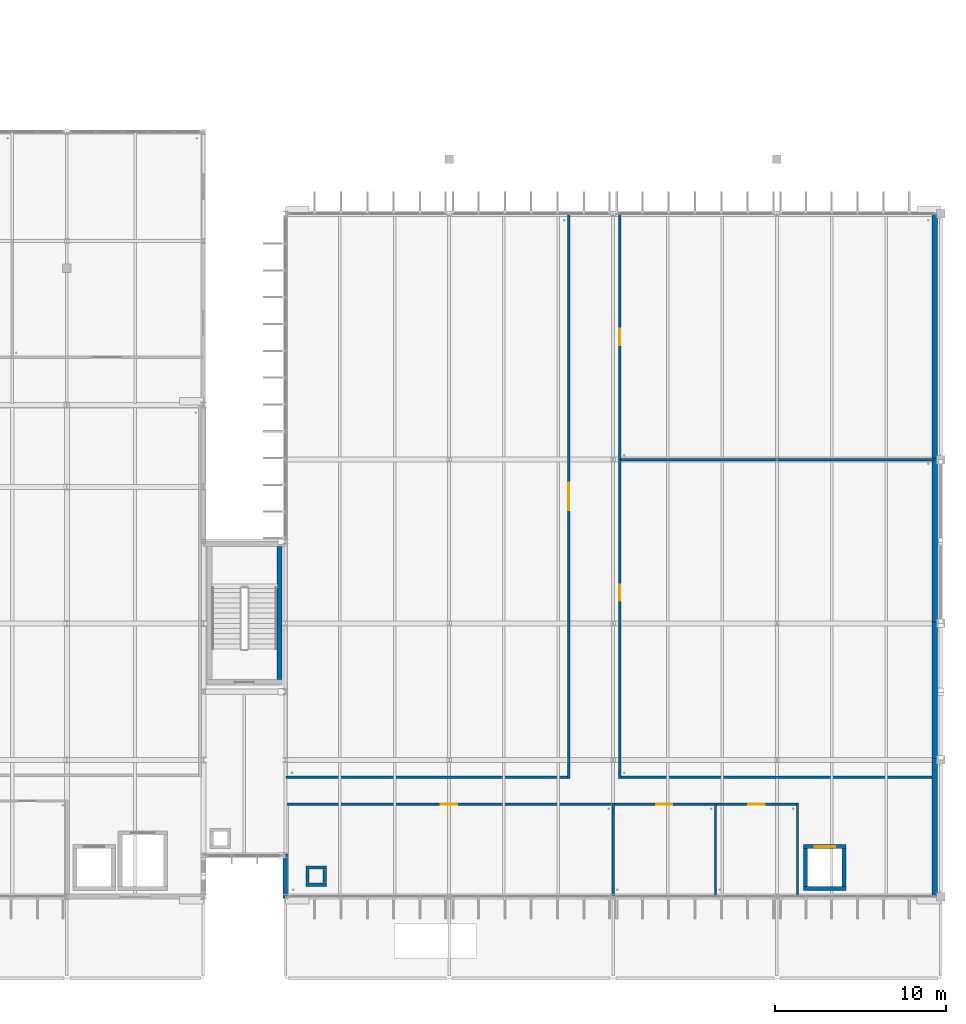
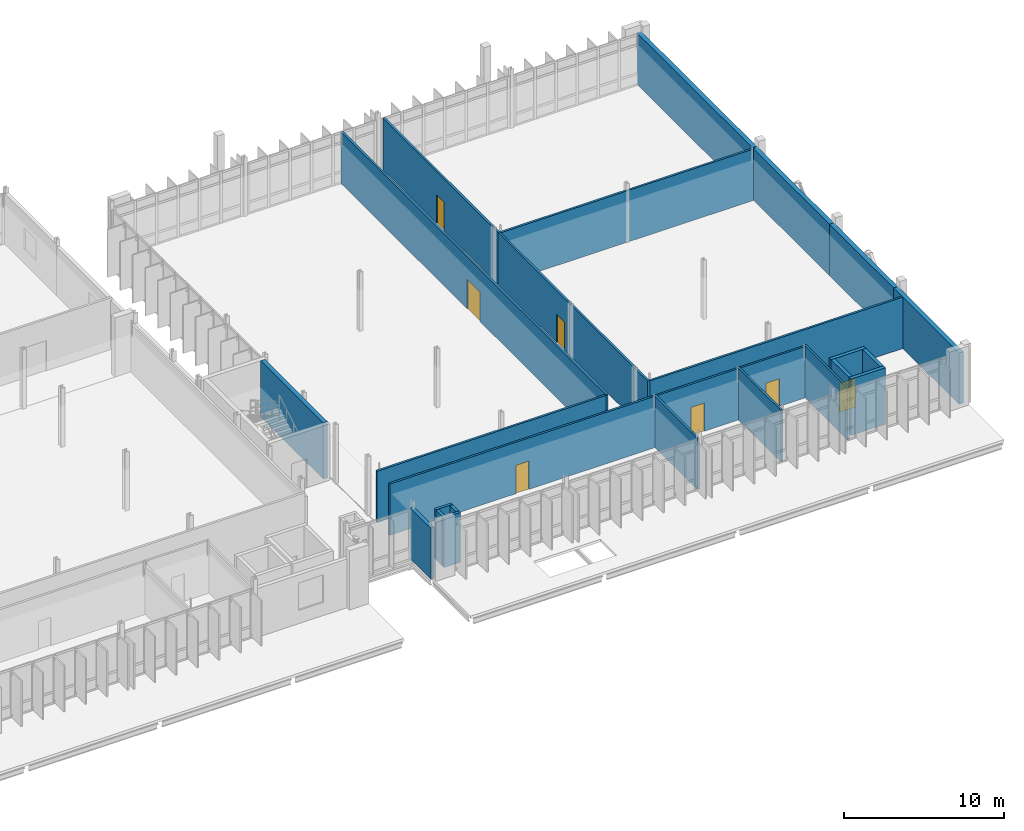
# One storey, part 66 of 107: 26 walls, 7 doors, 7 openings.
"""IFC4 building model written with IfcOpenShell, lengths in metres."""

from ifc_helpers import new_model, si_unit, direction, frame, frame_2d, origin, place, context, subcontext, project, spatial, rectangle, extrude, material, layer, layer_set, type_object, element, fill, save


model = new_model("IFC4")

# Units and contexts
model_context = context("Model", 3, precision=1e-05, world=origin(), true_north=direction((0.0, 1.0)))
body_context = subcontext(model_context, "Body", "Model", "MODEL_VIEW")
ifc_project = project(units=[si_unit("LENGTHUNIT", "METRE"), si_unit("AREAUNIT", "SQUARE_METRE"), si_unit("VOLUMEUNIT", "CUBIC_METRE"), si_unit("PLANEANGLEUNIT", "RADIAN"), si_unit("MASSUNIT", "GRAM", prefix="KILO")], contexts=[model_context])

# Site, building, storey
site_placement = place(None, origin())
site = spatial("IfcSite", under=ifc_project, at=site_placement, CompositionType="ELEMENT")
building_placement = place(site_placement, origin())
building = spatial("IfcBuilding", under=site, at=building_placement, Name="Dunescarp Central Library", CompositionType="ELEMENT")
storey_placement = place(building_placement, frame((0.0, 0.0, 5.10009765625)))
storey = spatial("IfcBuildingStorey", under=building, at=storey_placement, Name="L01", CompositionType="ELEMENT", Elevation=5.10009765625)

# Wall, opening, door
ifc_material_1 = material(Name="Gypsum plasterboard acoustic partition")
ifc_layer_1 = layer(ifc_material_1, 0.14990234375)
ifc_layer_set_1 = layer_set([ifc_layer_1], Name="Gypsum plasterboard acoustic partition")
wall_type_1 = type_object("IfcWallType", Name="ARC-PT-AC150", PredefinedType="PARTITIONING", material=ifc_layer_set_1)
wall_1_placement = place(storey_placement, frame((129.639892578125, 10.199951171875, 0.0), z_axis=(0.0, 0.0, 1.0), x_axis=(1.0, 0.0, 0.0)))
wall_1 = element("IfcWall", 1, at=wall_1_placement, inside=storey, type_object=wall_type_1, Name="L01 partition PT-L01-0395", PredefinedType="PARTITIONING", context=body_context, shape_type="SweptSolid", body=[
    extrude(rectangle(XDim=19.085205078125, YDim=0.14990234375, at=frame_2d((9.54248046875, 0.0))), origin(), (0.0, 0.0, 1.0), 3.909912109375),
])
opening_1_placement = place(wall_1_placement, frame((9.068115234375, 0.0, 0.0)))
opening_1 = element("IfcOpeningElement", 2, at=opening_1_placement, cuts=wall_1, Name="Opening DR-L01-0170", PredefinedType="OPENING", context=body_context, shape_type="SweptSolid", body=[
    extrude(rectangle(XDim=0.949951171875, YDim=2.14990234375, at=frame_2d((0.47509765625, 1.074951171875))), frame((0.0, 0.0849609375, 0.0), z_axis=(0.0, -1.0, 0.0), x_axis=(1.0, 0.0, 0.0)), (0.0, 0.0, 1.0), 0.169921875),
])
ifc_material_2 = material(Name="Hardwood solid-core timber leaf", Category="wood")
door_type_1 = type_object("IfcDoorType", Name="ARC-DR-INT950", OperationType="NOTDEFINED", PredefinedType="DOOR", material=ifc_material_2)
door_1_placement = place(opening_1_placement, origin())
door_1 = element("IfcDoor", 3, at=door_1_placement, inside=storey, type_object=door_type_1, Name="L01 interior door DR-L01-0170", OperationType="SINGLE_SWING_LEFT", OverallHeight=2.14990234375, OverallWidth=0.949951171875, PredefinedType="DOOR", context=body_context, shape_type="SweptSolid", body=[
    extrude(rectangle(XDim=0.949951171875, YDim=2.14990234375, at=frame_2d((0.47509765625, 1.074951171875))), frame((0.0, 0.02490234375, 0.0), z_axis=(0.0, -1.0, 0.0), x_axis=(1.0, 0.0, 0.0)), (0.0, 0.0, 1.0), 0.050048828125),
])
fill(opening_1, door_1)

# Wall
wall_2_placement = place(storey_placement, frame((148.800048828125, 4.840087890625, 0.0), z_axis=(0.0, 0.0, 1.0), x_axis=(0.0, 1.0, 0.0)))
element("IfcWall", 4, at=wall_2_placement, inside=storey, type_object=wall_type_1, Name="L01 partition PT-L01-0396", PredefinedType="PARTITIONING", context=body_context, shape_type="SweptSolid", body=[
    extrude(rectangle(XDim=5.434814453125, YDim=0.14990234375, at=frame_2d((2.71728515625, 0.0))), origin(), (0.0, 0.0, 1.0), 3.909912109375),
])

# Wall, opening, door
wall_3_placement = place(storey_placement, frame((148.800048828125, 10.199951171875, 0.0), z_axis=(0.0, 0.0, 1.0), x_axis=(1.0, 0.0, 0.0)))
wall_3 = element("IfcWall", 5, at=wall_3_placement, inside=storey, type_object=wall_type_1, Name="L01 partition PT-L01-0397", PredefinedType="PARTITIONING", context=body_context, shape_type="SweptSolid", body=[
    extrude(rectangle(XDim=6.0, YDim=0.14990234375, at=frame_2d((3.0, 0.0))), origin(), (0.0, 0.0, 1.0), 3.909912109375),
])
opening_2_placement = place(wall_3_placement, frame((2.52490234375, 0.0, 0.0)))
opening_2 = element("IfcOpeningElement", 6, at=opening_2_placement, cuts=wall_3, Name="Opening DR-L01-0171", PredefinedType="OPENING", context=body_context, shape_type="SweptSolid", body=[
    extrude(rectangle(XDim=0.949951171875, YDim=2.14990234375, at=frame_2d((0.47509765625, 1.074951171875))), frame((0.0, 0.0849609375, 0.0), z_axis=(0.0, -1.0, 0.0), x_axis=(1.0, 0.0, 0.0)), (0.0, 0.0, 1.0), 0.169921875),
])
door_2_placement = place(opening_2_placement, origin())
door_2 = element("IfcDoor", 7, at=door_2_placement, inside=storey, type_object=door_type_1, Name="L01 interior door DR-L01-0171", OperationType="SINGLE_SWING_RIGHT", OverallHeight=2.14990234375, OverallWidth=0.949951171875, PredefinedType="DOOR", context=body_context, shape_type="SweptSolid", body=[
    extrude(rectangle(XDim=0.949951171875, YDim=2.14990234375, at=frame_2d((0.47509765625, 1.074951171875))), frame((0.0, 0.02490234375, 0.0), z_axis=(0.0, -1.0, 0.0), x_axis=(1.0, 0.0, 0.0)), (0.0, 0.0, 1.0), 0.050048828125),
])
fill(opening_2, door_2)

# Wall
wall_4_placement = place(storey_placement, frame((129.639892578125, 11.800048828125, 0.0), z_axis=(0.0, 0.0, 1.0), x_axis=(1.0, 0.0, 0.0)))
element("IfcWall", 8, at=wall_4_placement, inside=storey, type_object=wall_type_1, Name="L01 partition PT-L01-0398", PredefinedType="PARTITIONING", context=body_context, shape_type="SweptSolid", body=[
    extrude(rectangle(XDim=16.485107421875, YDim=0.14990234375, at=frame_2d((8.24267578125, 0.0))), origin(), (0.0, 0.0, 1.0), 3.909912109375),
])

# Wall, opening, door
wall_5_placement = place(storey_placement, frame((146.199951171875, 11.72509765625, 0.0), z_axis=(0.0, 0.0, 1.0), x_axis=(0.0, 1.0, 0.0)))
wall_5 = element("IfcWall", 9, at=wall_5_placement, inside=storey, type_object=wall_type_1, Name="L01 partition PT-L01-0399", PredefinedType="PARTITIONING", context=body_context, shape_type="SweptSolid", body=[
    extrude(rectangle(XDim=33.034912109375, YDim=0.14990234375, at=frame_2d((16.517578125, 0.0))), origin(), (0.0, 0.0, 1.0), 3.94482421875),
])
opening_3_placement = place(wall_5_placement, frame((15.717041015625, 0.0, 0.0)))
opening_3 = element("IfcOpeningElement", 10, at=opening_3_placement, cuts=wall_5, Name="Opening DR-L01-0172", PredefinedType="OPENING", context=body_context, shape_type="SweptSolid", body=[
    extrude(rectangle(XDim=1.60009765625, YDim=2.25, at=frame_2d((0.800048828125, 1.125))), frame((0.0, 0.0849609375, 0.0), z_axis=(0.0, -1.0, 0.0), x_axis=(1.0, 0.0, 0.0)), (0.0, 0.0, 1.0), 0.169921875),
])
ifc_material_3 = material(Name="Marine-grade anodised aluminium 6063-T6", Category="aluminium")
door_type_2 = type_object("IfcDoorType", Name="ARC-DR-DBL1600", OperationType="DOUBLE_DOOR_SINGLE_SWING", PredefinedType="DOOR", material=ifc_material_3)
door_3_placement = place(opening_3_placement, origin())
door_3 = element("IfcDoor", 11, at=door_3_placement, inside=storey, type_object=door_type_2, Name="L01 interior door DR-L01-0172", OperationType="DOUBLE_DOOR_SINGLE_SWING", OverallHeight=2.25, OverallWidth=1.60009765625, PredefinedType="DOOR", context=body_context, shape_type="SweptSolid", body=[
    extrude(rectangle(XDim=1.60009765625, YDim=2.25, at=frame_2d((0.800048828125, 1.125))), frame((0.0, 0.02490234375, 0.0), z_axis=(0.0, -1.0, 0.0), x_axis=(1.0, 0.0, 0.0)), (0.0, 0.0, 1.0), 0.050048828125),
])
fill(opening_3, door_3)

# Walls
for number, where, z_axis, x_axis, name in (
    (12, (149.27490234375, 11.800048828125, 0.0), (0.0, 0.0, 1.0), (1.0, 0.0, 0.0), "L01 partition PT-L01-0400"),
    (13, (149.27490234375, 30.39990234375, 0.0), (0.0, 0.0, 1.0), (1.0, 0.0, 0.0), "L01 partition PT-L01-0401"),
):
    element("IfcWall", number, at=place(storey_placement, frame(where, z_axis=z_axis, x_axis=x_axis)), inside=storey, type_object=wall_type_1, Name=name, PredefinedType="PARTITIONING", context=body_context, shape_type="SweptSolid", body=[
        extrude(rectangle(XDim=18.335205078125, YDim=0.14990234375, at=frame_2d((9.16748046875, 0.0))), origin(), (0.0, 0.0, 1.0), 3.909912109375),
    ])

# Wall, opening, door
wall_6_placement = place(storey_placement, frame((149.199951171875, 11.72509765625, 0.0), z_axis=(0.0, 0.0, 1.0), x_axis=(0.0, 1.0, 0.0)))
wall_6 = element("IfcWall", 14, at=wall_6_placement, inside=storey, type_object=wall_type_1, Name="L01 partition PT-L01-0402", PredefinedType="PARTITIONING", context=body_context, shape_type="SweptSolid", body=[
    extrude(rectangle(XDim=18.75, YDim=0.14990234375, at=frame_2d((9.375, 0.0))), origin(), (0.0, 0.0, 1.0), 3.94482421875),
])
opening_4_placement = place(wall_6_placement, frame((10.39990234375, 0.0, 0.0)))
opening_4 = element("IfcOpeningElement", 15, at=opening_4_placement, cuts=wall_6, Name="Opening DR-L01-0173", PredefinedType="OPENING", context=body_context, shape_type="SweptSolid", body=[
    extrude(rectangle(XDim=0.949951171875, YDim=2.14990234375, at=frame_2d((0.47509765625, 1.074951171875))), frame((0.0, 0.0849609375, 0.0), z_axis=(0.0, -1.0, 0.0), x_axis=(1.0, 0.0, 0.0)), (0.0, 0.0, 1.0), 0.169921875),
])
door_4_placement = place(opening_4_placement, origin())
door_4 = element("IfcDoor", 16, at=door_4_placement, inside=storey, type_object=door_type_1, Name="L01 interior door DR-L01-0173", OperationType="SINGLE_SWING_LEFT", OverallHeight=2.14990234375, OverallWidth=0.949951171875, PredefinedType="DOOR", context=body_context, shape_type="SweptSolid", body=[
    extrude(rectangle(XDim=0.949951171875, YDim=2.14990234375, at=frame_2d((0.47509765625, 1.074951171875))), frame((0.0, 0.02490234375, 0.0), z_axis=(0.0, -1.0, 0.0), x_axis=(1.0, 0.0, 0.0)), (0.0, 0.0, 1.0), 0.050048828125),
])
fill(opening_4, door_4)

wall_7_placement = place(storey_placement, frame((149.199951171875, 30.39990234375, 0.0), z_axis=(0.0, 0.0, 1.0), x_axis=(0.0, 1.0, 0.0)))
wall_7 = element("IfcWall", 17, at=wall_7_placement, inside=storey, type_object=wall_type_1, Name="L01 partition PT-L01-0403", PredefinedType="PARTITIONING", context=body_context, shape_type="SweptSolid", body=[
    extrude(rectangle(XDim=14.360107421875, YDim=0.14990234375, at=frame_2d((7.18017578125, 0.0))), origin(), (0.0, 0.0, 1.0), 3.94482421875),
])
opening_5_placement = place(wall_7_placement, frame((6.705078125, 0.0, 0.0)))
opening_5 = element("IfcOpeningElement", 18, at=opening_5_placement, cuts=wall_7, Name="Opening DR-L01-0174", PredefinedType="OPENING", context=body_context, shape_type="SweptSolid", body=[
    extrude(rectangle(XDim=0.949951171875, YDim=2.14990234375, at=frame_2d((0.47509765625, 1.074951171875))), frame((0.0, 0.0849609375, 0.0), z_axis=(0.0, -1.0, 0.0), x_axis=(1.0, 0.0, 0.0)), (0.0, 0.0, 1.0), 0.169921875),
])
door_5_placement = place(opening_5_placement, origin())
door_5 = element("IfcDoor", 19, at=door_5_placement, inside=storey, type_object=door_type_1, Name="L01 interior door DR-L01-0174", OperationType="SINGLE_SWING_RIGHT", OverallHeight=2.14990234375, OverallWidth=0.949951171875, PredefinedType="DOOR", context=body_context, shape_type="SweptSolid", body=[
    extrude(rectangle(XDim=0.949951171875, YDim=2.14990234375, at=frame_2d((0.47509765625, 1.074951171875))), frame((0.0, 0.02490234375, 0.0), z_axis=(0.0, -1.0, 0.0), x_axis=(1.0, 0.0, 0.0)), (0.0, 0.0, 1.0), 0.050048828125),
])
fill(opening_5, door_5)

ifc_material_4 = material(Name="Autoclaved aerated concrete block", Category="concrete")
ifc_layer_2 = layer(ifc_material_4, 0.139892578125)
ifc_layer_set_2 = layer_set([ifc_layer_2], Name="Autoclaved aerated concrete block")
wall_type_2 = type_object("IfcWallType", Name="ARC-PT-WET140", PredefinedType="PARTITIONING", material=ifc_layer_set_2)
wall_8_placement = place(storey_placement, frame((154.8701171875, 10.199951171875, 0.0), z_axis=(0.0, 0.0, 1.0), x_axis=(1.0, 0.0, 0.0)))
wall_8 = element("IfcWall", 20, at=wall_8_placement, inside=storey, type_object=wall_type_2, Name="L01 partition PT-L01-0392", PredefinedType="PARTITIONING", context=body_context, shape_type="SweptSolid", body=[
    extrude(rectangle(XDim=4.659912109375, YDim=0.139892578125, at=frame_2d((2.330078125, 0.0))), origin(), (0.0, 0.0, 1.0), 3.909912109375),
])
opening_6_placement = place(wall_8_placement, frame((1.85498046875, 0.0, 0.0)))
opening_6 = element("IfcOpeningElement", 21, at=opening_6_placement, cuts=wall_8, Name="Opening DR-L01-0169", PredefinedType="OPENING", context=body_context, shape_type="SweptSolid", body=[
    extrude(rectangle(XDim=0.949951171875, YDim=2.10009765625, at=frame_2d((0.47509765625, 1.050048828125))), frame((0.0, 0.080078125, 0.0), z_axis=(0.0, -1.0, 0.0), x_axis=(1.0, 0.0, 0.0)), (0.0, 0.0, 1.0), 0.159912109375),
])
door_type_3 = type_object("IfcDoorType", Name="ARC-DR-WC950", OperationType="NOTDEFINED", PredefinedType="DOOR", material=ifc_material_2)
door_6_placement = place(opening_6_placement, origin())
door_6 = element("IfcDoor", 22, at=door_6_placement, inside=storey, type_object=door_type_3, Name="L01 interior door DR-L01-0169", OperationType="SINGLE_SWING_RIGHT", OverallHeight=2.10009765625, OverallWidth=0.949951171875, PredefinedType="DOOR", context=body_context, shape_type="SweptSolid", body=[
    extrude(rectangle(XDim=0.949951171875, YDim=2.10009765625, at=frame_2d((0.47509765625, 1.050048828125))), frame((0.0, 0.02490234375, 0.0), z_axis=(0.0, -1.0, 0.0), x_axis=(1.0, 0.0, 0.0)), (0.0, 0.0, 1.0), 0.050048828125),
])
fill(opening_6, door_6)

# Walls
for number, where, z_axis, x_axis, name in (
    (23, (154.800048828125, 4.840087890625, 0.0), (0.0, 0.0, 1.0), (0.0, 1.0, 0.0), "L01 partition PT-L01-0393"),
    (24, (159.60009765625, 4.840087890625, 0.0), (0.0, 0.0, 1.0), (0.0, 1.0, 0.0), "L01 partition PT-L01-0394"),
):
    element("IfcWall", number, at=place(storey_placement, frame(where, z_axis=z_axis, x_axis=x_axis)), inside=storey, type_object=wall_type_2, Name=name, PredefinedType="PARTITIONING", context=body_context, shape_type="SweptSolid", body=[
        extrude(rectangle(XDim=5.429931640625, YDim=0.139892578125, at=frame_2d((2.71484375, 0.0))), origin(), (0.0, 0.0, 1.0), 3.94482421875),
    ])
ifc_material_5 = material(Name="Glass-fibre reinforced concrete GRC", Category="concrete")
ifc_layer_3 = layer(ifc_material_5, 0.260009765625)
ifc_layer_set_3 = layer_set([ifc_layer_3], Name="Glass-fibre reinforced concrete GRC")
wall_type_3 = type_object("IfcWallType", Name="ARC-WL-GRC260", PredefinedType="SOLIDWALL", material=ifc_layer_set_3)
wall_9_placement = place(storey_placement, frame((129.60009765625, 4.715087890625, 0.0), z_axis=(0.0, 0.0, 1.0), x_axis=(0.0, 1.0, 0.0)))
element("IfcWall", 25, at=wall_9_placement, inside=storey, type_object=wall_type_3, Name="L01 external wall EW-V5-168", PredefinedType="SOLIDWALL", context=body_context, shape_type="SweptSolid", body=[
    extrude(rectangle(XDim=2.56982421875, YDim=0.260009765625, at=frame_2d((1.284912109375, 0.0))), origin(), (0.0, 0.0, 1.0), 3.875),
])
ifc_layer_4 = layer(ifc_material_5, 0.320068359375)
ifc_layer_set_4 = layer_set([ifc_layer_4], Name="Glass-fibre reinforced concrete GRC")
wall_type_4 = type_object("IfcWallType", Name="ARC-WL-GRC320", PredefinedType="SOLIDWALL", material=ifc_layer_set_4)
for number, where, z_axis, x_axis, name in (
    (26, (167.64990234375, 12.885009765625, 0.0), (0.0, 0.0, 1.0), (0.0, -1.0, 0.0), "L01 external wall EW-V5-164"),
    (27, (167.64990234375, 20.885009765625, 0.0), (0.0, 0.0, 1.0), (0.0, -1.0, 0.0), "L01 external wall EW-V5-165"),
):
    element("IfcWall", number, at=place(storey_placement, frame(where, z_axis=z_axis, x_axis=x_axis)), inside=storey, type_object=wall_type_4, Name=name, PredefinedType="SOLIDWALL", context=body_context, shape_type="SweptSolid", body=[
        extrude(rectangle(XDim=8.169921875, YDim=0.320068359375, at=frame_2d((4.0849609375, 0.0))), origin(), (0.0, 0.0, 1.0), 3.909912109375),
    ])
wall_10_placement = place(storey_placement, frame((167.64990234375, 30.485107421875, 0.0), z_axis=(0.0, 0.0, 1.0), x_axis=(0.0, -1.0, 0.0)))
element("IfcWall", 28, at=wall_10_placement, inside=storey, type_object=wall_type_4, Name="L01 external wall EW-V5-166", PredefinedType="SOLIDWALL", context=body_context, shape_type="SweptSolid", body=[
    extrude(rectangle(XDim=9.77001953125, YDim=0.320068359375, at=frame_2d((4.885009765625, 0.0))), origin(), (0.0, 0.0, 1.0), 3.909912109375),
])
wall_11_placement = place(storey_placement, frame((167.64990234375, 44.885009765625, 0.0), z_axis=(0.0, 0.0, 1.0), x_axis=(0.0, -1.0, 0.0)))
element("IfcWall", 29, at=wall_11_placement, inside=storey, type_object=wall_type_4, Name="L01 external wall EW-V5-167", PredefinedType="SOLIDWALL", context=body_context, shape_type="SweptSolid", body=[
    extrude(rectangle(XDim=14.570068359375, YDim=0.320068359375, at=frame_2d((7.28515625, 0.0))), origin(), (0.0, 0.0, 1.0), 3.909912109375),
])
ifc_material_6 = material(Name="Concrete C35/45", Category="concrete")
ifc_layer_5 = layer(ifc_material_6, 0.199951171875)
ifc_layer_set_5 = layer_set([ifc_layer_5], Name="Concrete C35/45")
wall_type_5 = type_object("IfcWallType", Name="ARC-WL-RISER200", PredefinedType="PARTITIONING", material=ifc_layer_set_5)
for number, where, z_axis, x_axis, name in (
    (30, (132.0, 5.5, 0.0), (0.0, 0.0, 1.0), (-1.0, 0.0, 0.0), "L01 V5 duct shaft wall S"),
    (31, (130.800048828125, 6.5, 0.0), (0.0, 0.0, 1.0), (1.0, 0.0, 0.0), "L01 V5 duct shaft wall N"),
):
    element("IfcWall", number, at=place(storey_placement, frame(where, z_axis=z_axis, x_axis=x_axis)), inside=storey, type_object=wall_type_5, Name=name, PredefinedType="PARTITIONING", context=body_context, shape_type="SweptSolid", body=[
        extrude(rectangle(XDim=1.199951171875, YDim=0.199951171875, at=frame_2d((0.60009765625, 0.0))), origin(), (0.0, 0.0, 1.0), 3.789794921875),
    ])
for number, where, z_axis, x_axis, name in (
    (32, (130.89990234375, 5.6201171875, 0.0), (0.0, 0.0, 1.0), (0.0, 1.0, 0.0), "L01 V5 duct shaft wall W"),
    (33, (131.89990234375, 6.3798828125, 0.0), (0.0, 0.0, 1.0), (0.0, -1.0, 0.0), "L01 V5 duct shaft wall E"),
):
    element("IfcWall", number, at=place(storey_placement, frame(where, z_axis=z_axis, x_axis=x_axis)), inside=storey, type_object=wall_type_5, Name=name, PredefinedType="PARTITIONING", context=body_context, shape_type="SweptSolid", body=[
        extrude(rectangle(XDim=0.759765625, YDim=0.199951171875, at=frame_2d((0.3798828125, 0.0))), origin(), (0.0, 0.0, 1.0), 3.789794921875),
    ])
ifc_material_7 = material(Name="Concrete C40/50", Category="concrete")
ifc_layer_6 = layer(ifc_material_7, 0.25)
ifc_layer_set_6 = layer_set([ifc_layer_6], Name="Concrete C40/50")
wall_type_6 = type_object("IfcWallType", Name="STR-WL-CORE250", PredefinedType="SHEAR", material=ifc_layer_set_6)
wall_12_placement = place(storey_placement, frame((162.449951171875, 5.27490234375, 0.0), z_axis=(0.0, 0.0, 1.0), x_axis=(-1.0, 0.0, 0.0)))
element("IfcWall", 34, at=wall_12_placement, inside=storey, type_object=wall_type_6, Name="L01 PL-5 lift shaft wall S", PredefinedType="SHEAR", context=body_context, shape_type="SweptSolid", body=[
    extrude(rectangle(XDim=2.5, YDim=0.25, at=frame_2d((1.25, 0.0))), origin(), (0.0, 0.0, 1.0), 4.289794921875),
])

# Wall, opening, door
wall_13_placement = place(storey_placement, frame((159.949951171875, 7.72509765625, 0.0), z_axis=(0.0, 0.0, 1.0), x_axis=(1.0, 0.0, 0.0)))
wall_13 = element("IfcWall", 35, at=wall_13_placement, inside=storey, type_object=wall_type_6, Name="L01 PL-5 lift shaft wall N", PredefinedType="SHEAR", context=body_context, shape_type="SweptSolid", body=[
    extrude(rectangle(XDim=2.5, YDim=0.25, at=frame_2d((1.25, 0.0))), origin(), (0.0, 0.0, 1.0), 4.289794921875),
])
opening_7_placement = place(wall_13_placement, frame((0.64990234375, 0.0, 0.0)))
opening_7 = element("IfcOpeningElement", 36, at=opening_7_placement, cuts=wall_13, Name="Opening LD-PL-5-L01", PredefinedType="OPENING", context=body_context, shape_type="SweptSolid", body=[
    extrude(rectangle(XDim=1.199951171875, YDim=2.199951171875, at=frame_2d((0.60009765625, 1.10009765625))), frame((0.0, 0.135009765625, 0.0), z_axis=(0.0, -1.0, 0.0), x_axis=(1.0, 0.0, 0.0)), (0.0, 0.0, 1.0), 0.27001953125),
])
ifc_material_8 = material(Name="Stainless steel Grade 316L", Category="steel")
door_type_4 = type_object("IfcDoorType", Name="ARC-DR-LD1200", OperationType="DOUBLE_DOOR_SLIDING", PredefinedType="DOOR", material=ifc_material_8)
door_7_placement = place(opening_7_placement, origin())
door_7 = element("IfcDoor", 37, at=door_7_placement, inside=storey, type_object=door_type_4, Name="L01 PL-5 lift landing door", OperationType="DOUBLE_DOOR_SLIDING", OverallHeight=2.199951171875, OverallWidth=1.199951171875, PredefinedType="DOOR", context=body_context, shape_type="SweptSolid", body=[
    extrude(rectangle(XDim=1.199951171875, YDim=2.199951171875, at=frame_2d((0.60009765625, 1.10009765625))), frame((0.0, 0.02490234375, 0.0), z_axis=(0.0, -1.0, 0.0), x_axis=(1.0, 0.0, 0.0)), (0.0, 0.0, 1.0), 0.050048828125),
])
fill(opening_7, door_7)

# Walls
for number, where, z_axis, x_axis, name in (
    (38, (160.074951171875, 5.39990234375, 0.0), (0.0, 0.0, 1.0), (0.0, 1.0, 0.0), "L01 PL-5 lift shaft wall W"),
    (39, (162.324951171875, 7.60009765625, 0.0), (0.0, 0.0, 1.0), (0.0, -1.0, 0.0), "L01 PL-5 lift shaft wall E"),
):
    element("IfcWall", number, at=place(storey_placement, frame(where, z_axis=z_axis, x_axis=x_axis)), inside=storey, type_object=wall_type_6, Name=name, PredefinedType="SHEAR", context=body_context, shape_type="SweptSolid", body=[
        extrude(rectangle(XDim=2.2001953125, YDim=0.25, at=frame_2d((1.10009765625, 0.0))), origin(), (0.0, 0.0, 1.0), 4.289794921875),
    ])
ifc_layer_7 = layer(ifc_material_7, 0.300048828125)
ifc_layer_set_7 = layer_set([ifc_layer_7], Name="Concrete C40/50")
wall_type_7 = type_object("IfcWallType", Name="STR-WL-CORE300", PredefinedType="SHEAR", material=ifc_layer_set_7)
wall_14_placement = place(storey_placement, frame((129.25, 25.300048828125, 0.0), z_axis=(0.0, 0.0, 1.0), x_axis=(0.0, -1.0, 0.0)))
element("IfcWall", 40, at=wall_14_placement, inside=storey, type_object=wall_type_7, Name="L01 ST-5 east core wall", PredefinedType="SHEAR", context=body_context, shape_type="SweptSolid", body=[
    extrude(rectangle(XDim=7.800048828125, YDim=0.300048828125, at=frame_2d((3.89990234375, 0.0))), origin(), (0.0, 0.0, 1.0), 4.289794921875),
])

save(model, "model.ifc")
